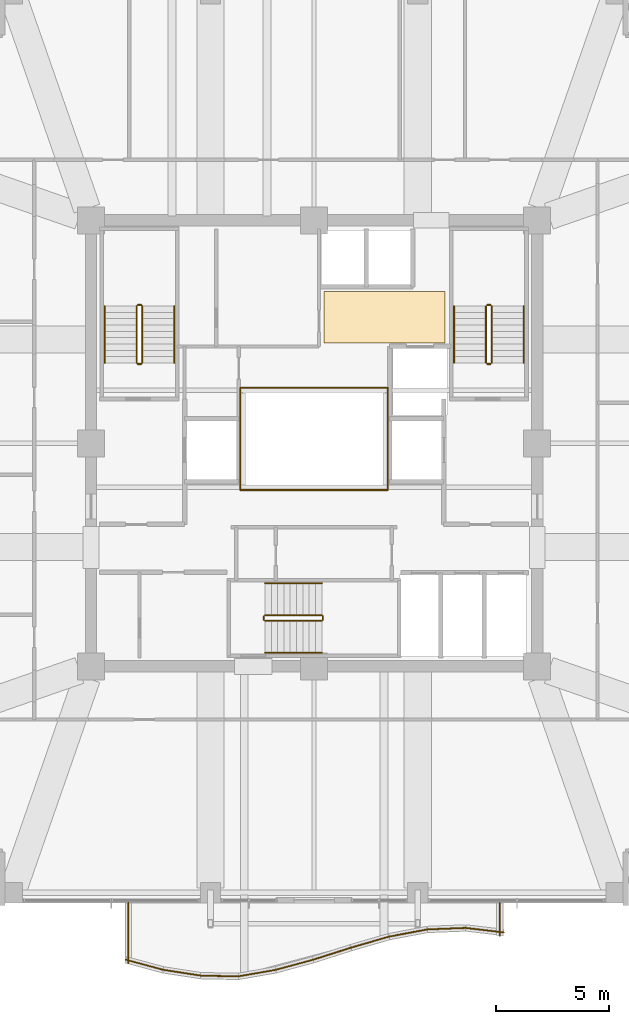
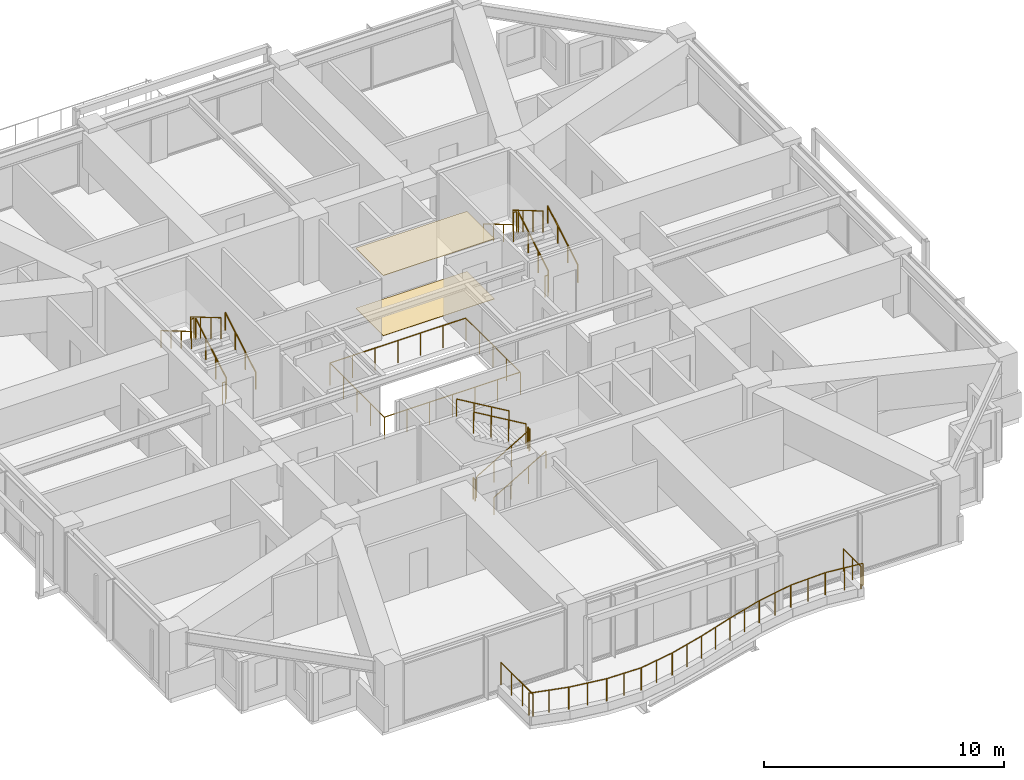
# One storey, part 36 of 37: 34 railings, 2 coverings.
"""IFC4 building model written with IfcOpenShell, lengths in metres."""

from ifc_helpers import new_model, si_unit, direction, frame, origin, origin_2d, place, context, subcontext, project, spatial, polyline, circle, outline, extrude, material, layer, layer_set, type_object, element, save


model = new_model("IFC4")

# Units and contexts
model_context = context("Model", 3, precision=1e-05, world=origin(), true_north=direction((0.0, 1.0)))
body_context = subcontext(model_context, "Body", "Model", "MODEL_VIEW")
ifc_project = project(units=[si_unit("LENGTHUNIT", "METRE"), si_unit("AREAUNIT", "SQUARE_METRE"), si_unit("VOLUMEUNIT", "CUBIC_METRE"), si_unit("PLANEANGLEUNIT", "RADIAN"), si_unit("MASSUNIT", "GRAM", prefix="KILO")], contexts=[model_context])

# Site, building, storey
site_placement = place(None, origin())
site = spatial("IfcSite", under=ifc_project, at=site_placement, CompositionType="ELEMENT")
building_placement = place(site_placement, origin())
building = spatial("IfcBuilding", under=site, at=building_placement, Name="Kolvaren Belvedere", CompositionType="ELEMENT")
storey_placement = place(building_placement, frame((0.0, 0.0, 186.60009765625)))
storey = spatial("IfcBuildingStorey", under=building, at=storey_placement, Name="L54", CompositionType="ELEMENT", Elevation=186.60009765625)

# Coverings
ifc_material_1 = material(Name="Acoustic perforated gypsum board", Category="gypsum")
ifc_layer_1 = layer(ifc_material_1, 0.02490234375)
ifc_layer_set_1 = layer_set([ifc_layer_1], Name="Acoustic perforated gypsum board")
covering_type_1 = type_object("IfcCoveringType", Name="COV-CEIL-GYP", PredefinedType="CEILING", material=ifc_layer_set_1)
covering_1_placement = place(storey_placement, frame((0.0, 0.0, 3.054931640625)))
element("IfcCovering", 1, at=covering_1_placement, inside=storey, type_object=covering_type_1, Name="L54 Lift Lobby Acoustic Baffle Ceiling", PredefinedType="CEILING", context=body_context, shape_type="SweptSolid", body=[
    extrude(outline(polyline([(0.449951171875, 4.449951171875), (5.800048828125, 4.449951171875), (5.800048828125, 6.75), (0.449951171875, 6.75), (0.449951171875, 4.449951171875)])), origin(), (0.0, 0.0, 1.0), 0.02490234375),
])
ifc_material_2 = material(Name="Engineered Pacific white oak", Category="timber")
ifc_layer_2 = layer(ifc_material_2, 0.02001953125)
ifc_layer_set_2 = layer_set([ifc_layer_2], Name="Engineered Pacific white oak")
covering_type_2 = type_object("IfcCoveringType", Name="COV-FLR-OAK", PredefinedType="FLOORING", material=ifc_layer_set_2)
covering_2_placement = place(storey_placement, origin())
element("IfcCovering", 2, at=covering_2_placement, inside=storey, type_object=covering_type_2, Name="L54 Lift Lobby Finish Flooring", PredefinedType="FLOORING", context=body_context, shape_type="SweptSolid", body=[
    extrude(outline(polyline([(0.449951171875, 4.449951171875), (5.800048828125, 4.449951171875), (5.800048828125, 6.75), (0.449951171875, 6.75), (0.449951171875, 4.449951171875)])), origin(), (0.0, 0.0, 1.0), 0.02001953125),
])

# Railings
ifc_material_3 = material(Name="Laminated glass & stainless-steel cap rail", Category="steel")
railing_type_1 = type_object("IfcRailingType", Name="RL-ATR-1150", PredefinedType="BALUSTRADE", material=ifc_material_3)
for number, where, name in (
    (3, (-3.27001953125, 2.469970703125, 0.0), "L54 Atrium North Glass Balustrade"),
    (4, (-3.27001953125, -2.070068359375, 0.0), "L54 Atrium South Glass Balustrade"),
):
    element("IfcRailing", number, at=place(storey_placement, frame(where)), inside=storey, type_object=railing_type_1, Name=name, PredefinedType="BALUSTRADE", context=body_context, shape_type="SweptSolid", body=[
        extrude(circle(Radius=0.02392578125, at=origin_2d()), frame((0.0, 0.0, 1.1259765625), z_axis=(1.0, 0.0, 0.0), x_axis=(0.0, 1.0, 0.0)), (0.0, 0.0, 1.0), 6.5400390625),
        extrude(circle(Radius=0.02099609375, at=origin_2d()), origin(), (0.0, 0.0, 1.0), 1.101806640625),
        extrude(circle(Radius=0.02099609375, at=origin_2d()), frame((1.090087890625, 0.0, 0.0)), (0.0, 0.0, 1.0), 1.101806640625),
        extrude(circle(Radius=0.02099609375, at=origin_2d()), frame((2.179931640625, 0.0, 0.0)), (0.0, 0.0, 1.0), 1.101806640625),
        extrude(circle(Radius=0.02099609375, at=origin_2d()), frame((3.27001953125, 0.0, 0.0)), (0.0, 0.0, 1.0), 1.101806640625),
        extrude(circle(Radius=0.02099609375, at=origin_2d()), frame((4.360107421875, 0.0, 0.0)), (0.0, 0.0, 1.0), 1.101806640625),
        extrude(circle(Radius=0.02099609375, at=origin_2d()), frame((5.449951171875, 0.0, 0.0)), (0.0, 0.0, 1.0), 1.101806640625),
        extrude(circle(Radius=0.02099609375, at=origin_2d()), frame((6.5400390625, 0.0, 0.0)), (0.0, 0.0, 1.0), 1.101806640625),
    ])
for number, where, name in (
    (5, (-3.27001953125, -2.070068359375, 0.0), "L54 Atrium West Glass Balustrade"),
    (6, (3.27001953125, -2.070068359375, 0.0), "L54 Atrium East Glass Balustrade"),
):
    element("IfcRailing", number, at=place(storey_placement, frame(where)), inside=storey, type_object=railing_type_1, Name=name, PredefinedType="BALUSTRADE", context=body_context, shape_type="SweptSolid", body=[
        extrude(circle(Radius=0.02392578125, at=origin_2d()), frame((0.0, 0.0, 1.1259765625), z_axis=(0.0, 1.0, 0.0), x_axis=(-1.0, 0.0, 0.0)), (0.0, 0.0, 1.0), 4.5400390625),
        extrude(circle(Radius=0.02099609375, at=origin_2d()), origin(), (0.0, 0.0, 1.0), 1.101806640625),
        extrude(circle(Radius=0.02099609375, at=origin_2d()), frame((0.0, 1.135009765625, 0.0)), (0.0, 0.0, 1.0), 1.101806640625),
        extrude(circle(Radius=0.02099609375, at=origin_2d()), frame((0.0, 2.27001953125, 0.0)), (0.0, 0.0, 1.0), 1.101806640625),
        extrude(circle(Radius=0.02099609375, at=origin_2d()), frame((0.0, 3.405029296875, 0.0)), (0.0, 0.0, 1.0), 1.101806640625),
        extrude(circle(Radius=0.02099609375, at=origin_2d()), frame((0.0, 4.5400390625, 0.0)), (0.0, 0.0, 1.0), 1.101806640625),
    ])
ifc_material_4 = material(Name="Anodised pale-metal aluminium & laminated glass guard", Category="aluminium")
railing_type_2 = type_object("IfcRailingType", Name="RL-GUARD-1150", PredefinedType="GUARDRAIL", material=ifc_material_4)
railing_1_placement = place(storey_placement, frame((-8.3583984375, -22.919189453125, 0.3798828125)))
element("IfcRailing", 7, at=railing_1_placement, inside=storey, type_object=railing_type_2, Name="L54 Exterior Deck Safety Guard BAL-S-1", PredefinedType="GUARDRAIL", context=body_context, shape_type="SweptSolid", body=[
    extrude(circle(Radius=0.02392578125, at=origin_2d()), frame((0.0, 0.0, 1.1259765625), z_axis=(0.965434024814, -0.260647546949, 0.0), x_axis=(0.260647546949, 0.965434024814, 0.0)), (0.0, 0.0, 1.0), 1.740234375),
    extrude(circle(Radius=0.02099609375, at=origin_2d()), origin(), (0.0, 0.0, 1.0), 1.101806640625),
    extrude(circle(Radius=0.02099609375, at=origin_2d()), frame((0.840087890625, -0.226806640625, 0.0)), (0.0, 0.0, 1.0), 1.101806640625),
    extrude(circle(Radius=0.02099609375, at=origin_2d()), frame((1.68017578125, -0.45361328125, 0.0)), (0.0, 0.0, 1.0), 1.101806640625),
])
railing_2_placement = place(storey_placement, frame((-6.695556640625, -23.369140625, 0.3798828125)))
element("IfcRailing", 8, at=railing_2_placement, inside=storey, type_object=railing_type_2, Name="L54 Exterior Deck Safety Guard BAL-S-2", PredefinedType="GUARDRAIL", context=body_context, shape_type="SweptSolid", body=[
    extrude(circle(Radius=0.02392578125, at=origin_2d()), frame((0.0, 0.0, 1.1259765625), z_axis=(0.988341789514, -0.152251460091, 0.0), x_axis=(0.152251460091, 0.988341789514, 0.0)), (0.0, 0.0, 1.0), 1.69970703125),
    extrude(circle(Radius=0.02099609375, at=origin_2d()), origin(), (0.0, 0.0, 1.0), 1.101806640625),
    extrude(circle(Radius=0.02099609375, at=origin_2d()), frame((0.83984375, -0.12939453125, 0.0)), (0.0, 0.0, 1.0), 1.101806640625),
    extrude(circle(Radius=0.02099609375, at=origin_2d()), frame((1.679931640625, -0.2587890625, 0.0)), (0.0, 0.0, 1.0), 1.101806640625),
])
railing_3_placement = place(storey_placement, frame((-5.036865234375, -23.626220703125, 0.3798828125)))
element("IfcRailing", 9, at=railing_3_placement, inside=storey, type_object=railing_type_2, Name="L54 Exterior Deck Safety Guard BAL-S-3", PredefinedType="GUARDRAIL", context=body_context, shape_type="SweptSolid", body=[
    extrude(circle(Radius=0.02392578125, at=origin_2d()), frame((0.0, 0.0, 1.1259765625), z_axis=(0.999799013034, -0.020048280122, 0.0), x_axis=(0.020048280122, 0.999799013034, 0.0)), (0.0, 0.0, 1.0), 1.680419921875),
    extrude(circle(Radius=0.02099609375, at=origin_2d()), origin(), (0.0, 0.0, 1.0), 1.101806640625),
    extrude(circle(Radius=0.02099609375, at=origin_2d()), frame((0.840087890625, -0.016845703125, 0.0)), (0.0, 0.0, 1.0), 1.101806640625),
    extrude(circle(Radius=0.02099609375, at=origin_2d()), frame((1.68017578125, -0.03369140625, 0.0)), (0.0, 0.0, 1.0), 1.101806640625),
])
railing_4_placement = place(storey_placement, frame((-3.387451171875, -23.662353515625, 0.3798828125)))
element("IfcRailing", 10, at=railing_4_placement, inside=storey, type_object=railing_type_2, Name="L54 Exterior Deck Safety Guard BAL-S-4", PredefinedType="GUARDRAIL", context=body_context, shape_type="SweptSolid", body=[
    extrude(circle(Radius=0.02392578125, at=origin_2d()), frame((0.0, 0.0, 1.1259765625), z_axis=(0.985156010777, 0.171661394699, 0.0), x_axis=(-0.171661394699, 0.985156010777, 0.0)), (0.0, 0.0, 1.0), 1.705322265625),
    extrude(circle(Radius=0.02099609375, at=origin_2d()), origin(), (0.0, 0.0, 1.0), 1.101806640625),
    extrude(circle(Radius=0.02099609375, at=origin_2d()), frame((0.83984375, 0.146484375, 0.0)), (0.0, 0.0, 1.0), 1.101806640625),
    extrude(circle(Radius=0.02099609375, at=origin_2d()), frame((1.679931640625, 0.292724609375, 0.0)), (0.0, 0.0, 1.0), 1.101806640625),
])
railing_5_placement = place(storey_placement, frame((-1.7216796875, -23.372802734375, 0.3798828125)))
element("IfcRailing", 11, at=railing_5_placement, inside=storey, type_object=railing_type_2, Name="L54 Exterior Deck Safety Guard BAL-S-5", PredefinedType="GUARDRAIL", context=body_context, shape_type="SweptSolid", body=[
    extrude(circle(Radius=0.02392578125, at=origin_2d()), frame((0.0, 0.0, 1.1259765625), z_axis=(0.965424492388, 0.260682852326, 0.0), x_axis=(-0.260682852326, 0.965424492388, 0.0)), (0.0, 0.0, 1.0), 1.739990234375),
    extrude(circle(Radius=0.02099609375, at=origin_2d()), origin(), (0.0, 0.0, 1.0), 1.101806640625),
    extrude(circle(Radius=0.02099609375, at=origin_2d()), frame((0.83984375, 0.226806640625, 0.0)), (0.0, 0.0, 1.0), 1.101806640625),
    extrude(circle(Radius=0.02099609375, at=origin_2d()), frame((1.679931640625, 0.45361328125, 0.0)), (0.0, 0.0, 1.0), 1.101806640625),
])
railing_6_placement = place(storey_placement, frame((-0.048583984375, -22.92138671875, 0.3798828125)))
element("IfcRailing", 12, at=railing_6_placement, inside=storey, type_object=railing_type_2, Name="L54 Exterior Deck Safety Guard BAL-S-6", PredefinedType="GUARDRAIL", context=body_context, shape_type="SweptSolid", body=[
    extrude(circle(Radius=0.02392578125, at=origin_2d()), frame((0.0, 0.0, 1.1259765625), z_axis=(0.952661770826, 0.304032153573, 0.0), x_axis=(-0.304032153573, 0.952661770826, 0.0)), (0.0, 0.0, 1.0), 1.763427734375),
    extrude(circle(Radius=0.02099609375, at=origin_2d()), origin(), (0.0, 0.0, 1.0), 1.101806640625),
    extrude(circle(Radius=0.02099609375, at=origin_2d()), frame((0.83984375, 0.26806640625, 0.0)), (0.0, 0.0, 1.0), 1.101806640625),
    extrude(circle(Radius=0.02099609375, at=origin_2d()), frame((1.679931640625, 0.5361328125, 0.0)), (0.0, 0.0, 1.0), 1.101806640625),
])
railing_7_placement = place(storey_placement, frame((1.635498046875, -22.3837890625, 0.3798828125)))
element("IfcRailing", 13, at=railing_7_placement, inside=storey, type_object=railing_type_2, Name="L54 Exterior Deck Safety Guard BAL-S-7", PredefinedType="GUARDRAIL", context=body_context, shape_type="SweptSolid", body=[
    extrude(circle(Radius=0.02392578125, at=origin_2d()), frame((0.0, 0.0, 1.1259765625), z_axis=(0.960633903819, 0.277817391164, 0.0), x_axis=(-0.277817391164, 0.960633903819, 0.0)), (0.0, 0.0, 1.0), 1.748779296875),
    extrude(circle(Radius=0.02099609375, at=origin_2d()), origin(), (0.0, 0.0, 1.0), 1.101806640625),
    extrude(circle(Radius=0.02099609375, at=origin_2d()), frame((0.83984375, 0.242919921875, 0.0)), (0.0, 0.0, 1.0), 1.101806640625),
    extrude(circle(Radius=0.02099609375, at=origin_2d()), frame((1.679931640625, 0.48583984375, 0.0)), (0.0, 0.0, 1.0), 1.101806640625),
])
railing_8_placement = place(storey_placement, frame((3.330322265625, -21.894287109375, 0.3798828125)))
element("IfcRailing", 14, at=railing_8_placement, inside=storey, type_object=railing_type_2, Name="L54 Exterior Deck Safety Guard BAL-S-8", PredefinedType="GUARDRAIL", context=body_context, shape_type="SweptSolid", body=[
    extrude(circle(Radius=0.02392578125, at=origin_2d()), frame((0.0, 0.0, 1.1259765625), z_axis=(0.982804219087, 0.184650661912, 0.0), x_axis=(-0.184650661912, 0.982804219087, 0.0)), (0.0, 0.0, 1.0), 1.70947265625),
    extrude(circle(Radius=0.02099609375, at=origin_2d()), origin(), (0.0, 0.0, 1.0), 1.101806640625),
    extrude(circle(Radius=0.02099609375, at=origin_2d()), frame((0.840087890625, 0.15771484375, 0.0)), (0.0, 0.0, 1.0), 1.101806640625),
    extrude(circle(Radius=0.02099609375, at=origin_2d()), frame((1.68017578125, 0.315673828125, 0.0)), (0.0, 0.0, 1.0), 1.101806640625),
])
railing_9_placement = place(storey_placement, frame((5.03369140625, -21.575927734375, 0.3798828125)))
element("IfcRailing", 15, at=railing_9_placement, inside=storey, type_object=railing_type_2, Name="L54 Exterior Deck Safety Guard BAL-S-9", PredefinedType="GUARDRAIL", context=body_context, shape_type="SweptSolid", body=[
    extrude(circle(Radius=0.02392578125, at=origin_2d()), frame((0.0, 0.0, 1.1259765625), z_axis=(0.999196545286, 0.040078222133, 0.0), x_axis=(-0.040078222133, 0.999196545286, 0.0)), (0.0, 0.0, 1.0), 1.681396484375),
    extrude(circle(Radius=0.02099609375, at=origin_2d()), origin(), (0.0, 0.0, 1.0), 1.101806640625),
    extrude(circle(Radius=0.02099609375, at=origin_2d()), frame((0.83984375, 0.03369140625, 0.0)), (0.0, 0.0, 1.0), 1.101806640625),
    extrude(circle(Radius=0.02099609375, at=origin_2d()), frame((1.679931640625, 0.0673828125, 0.0)), (0.0, 0.0, 1.0), 1.101806640625),
])
railing_10_placement = place(storey_placement, frame((6.73876953125, -21.509521484375, 0.3798828125)))
element("IfcRailing", 16, at=railing_10_placement, inside=storey, type_object=railing_type_2, Name="L54 Exterior Deck Safety Guard BAL-S-10", PredefinedType="GUARDRAIL", context=body_context, shape_type="SweptSolid", body=[
    extrude(circle(Radius=0.02392578125, at=origin_2d()), frame((0.0, 0.0, 1.1259765625), z_axis=(0.993125952783, -0.11705059551, 0.0), x_axis=(0.11705059551, 0.993125952783, 0.0)), (0.0, 0.0, 1.0), 1.691650390625),
    extrude(circle(Radius=0.02099609375, at=origin_2d()), origin(), (0.0, 0.0, 1.0), 1.101806640625),
    extrude(circle(Radius=0.02099609375, at=origin_2d()), frame((0.83984375, -0.09912109375, 0.0)), (0.0, 0.0, 1.0), 1.101806640625),
    extrude(circle(Radius=0.02099609375, at=origin_2d()), frame((1.679931640625, -0.197998046875, 0.0)), (0.0, 0.0, 1.0), 1.101806640625),
])
railing_11_placement = place(storey_placement, frame((8.239990234375, -21.8662109375, 0.3798828125)))
element("IfcRailing", 17, at=railing_11_placement, inside=storey, type_object=railing_type_2, Name="L54 Exterior Deck Safety Guard BAL-S-11", PredefinedType="GUARDRAIL", context=body_context, shape_type="SweptSolid", body=[
    extrude(circle(Radius=0.02392578125, at=origin_2d()), frame((0.0, 0.0, 1.1259765625), z_axis=(0.0, 1.0, 0.0), x_axis=(-1.0, 0.0, 0.0)), (0.0, 0.0, 1.0), 1.46630859375),
    extrude(circle(Radius=0.02099609375, at=origin_2d()), origin(), (0.0, 0.0, 1.0), 1.101806640625),
    extrude(circle(Radius=0.02099609375, at=origin_2d()), frame((0.0, 0.733154296875, 0.0)), (0.0, 0.0, 1.0), 1.101806640625),
    extrude(circle(Radius=0.02099609375, at=origin_2d()), frame((0.0, 1.46630859375, 0.0)), (0.0, 0.0, 1.0), 1.101806640625),
])
railing_12_placement = place(storey_placement, frame((-8.239990234375, -20.39990234375, 0.3798828125)))
element("IfcRailing", 18, at=railing_12_placement, inside=storey, type_object=railing_type_2, Name="L54 Exterior Deck Safety Guard BAL-S-22", PredefinedType="GUARDRAIL", context=body_context, shape_type="SweptSolid", body=[
    extrude(circle(Radius=0.02392578125, at=origin_2d()), frame((0.0, 0.0, 1.1259765625), z_axis=(0.0, -1.0, 0.0), x_axis=(1.0, 0.0, 0.0)), (0.0, 0.0, 1.0), 2.673828125),
    extrude(circle(Radius=0.02099609375, at=origin_2d()), origin(), (0.0, 0.0, 1.0), 1.101806640625),
    extrude(circle(Radius=0.02099609375, at=origin_2d()), frame((0.0, -0.891357421875, 0.0)), (0.0, 0.0, 1.0), 1.101806640625),
    extrude(circle(Radius=0.02099609375, at=origin_2d()), frame((0.0, -1.782470703125, 0.0)), (0.0, 0.0, 1.0), 1.101806640625),
    extrude(circle(Radius=0.02099609375, at=origin_2d()), frame((0.0, -2.673828125, 0.0)), (0.0, 0.0, 1.0), 1.101806640625),
])
ifc_material_5 = material(Name="Brushed stainless-steel handrail", Category="steel")
railing_type_3 = type_object("IfcRailingType", Name="RL-HANDRAIL-920", PredefinedType="HANDRAIL", material=ifc_material_5)
railing_13_placement = place(storey_placement, frame((-6.2099609375, 3.570068359375, 0.164794921875)))
element("IfcRailing", 19, at=railing_13_placement, inside=storey, type_object=railing_type_3, Name="L54 ST-1 stair handrail 1", PredefinedType="HANDRAIL", context=body_context, shape_type="SweptSolid", body=[
    extrude(circle(Radius=0.02392578125, at=origin_2d()), frame((0.0, 0.0, 0.8759765625), z_axis=(0.0, 0.86152411907, 0.507716645641), x_axis=(-1.0, 0.0, 0.0)), (0.0, 0.0, 1.0), 2.925048828125),
    extrude(circle(Radius=0.02099609375, at=origin_2d()), origin(), (0.0, 0.0, 1.0), 0.851806640625),
    extrude(circle(Radius=0.02099609375, at=origin_2d()), frame((0.0, 0.840087890625, 0.4951171875)), (0.0, 0.0, 1.0), 0.851806640625),
    extrude(circle(Radius=0.02099609375, at=origin_2d()), frame((0.0, 1.679931640625, 0.989990234375)), (0.0, 0.0, 1.0), 0.851806640625),
    extrude(circle(Radius=0.02099609375, at=origin_2d()), frame((0.0, 2.52001953125, 1.485107421875)), (0.0, 0.0, 1.0), 0.851806640625),
])
railing_14_placement = place(storey_placement, frame((-9.300048828125, 6.090087890625, 1.81494140625)))
element("IfcRailing", 20, at=railing_14_placement, inside=storey, type_object=railing_type_3, Name="L54 ST-1 stair handrail 2", PredefinedType="HANDRAIL", context=body_context, shape_type="SweptSolid", body=[
    extrude(circle(Radius=0.02392578125, at=origin_2d()), frame((0.0, 0.0, 0.8759765625), z_axis=(0.0, -0.861560626758, 0.507654692109), x_axis=(1.0, 0.0, 0.0)), (0.0, 0.0, 1.0), 2.925048828125),
    extrude(circle(Radius=0.02099609375, at=origin_2d()), origin(), (0.0, 0.0, 1.0), 0.851806640625),
    extrude(circle(Radius=0.02099609375, at=origin_2d()), frame((0.0, -0.840087890625, 0.494873046875)), (0.0, 0.0, 1.0), 0.851806640625),
    extrude(circle(Radius=0.02099609375, at=origin_2d()), frame((0.0, -1.679931640625, 0.989990234375)), (0.0, 0.0, 1.0), 0.851806640625),
    extrude(circle(Radius=0.02099609375, at=origin_2d()), frame((0.0, -2.52001953125, 1.48486328125)), (0.0, 0.0, 1.0), 0.851806640625),
])
railing_15_placement = place(storey_placement, frame((9.300048828125, 3.570068359375, 0.164794921875)))
element("IfcRailing", 21, at=railing_15_placement, inside=storey, type_object=railing_type_3, Name="L54 ST-2 stair handrail 1", PredefinedType="HANDRAIL", context=body_context, shape_type="SweptSolid", body=[
    extrude(circle(Radius=0.02392578125, at=origin_2d()), frame((0.0, 0.0, 0.8759765625), z_axis=(0.0, 0.86152411907, 0.507716645641), x_axis=(-1.0, 0.0, 0.0)), (0.0, 0.0, 1.0), 2.925048828125),
    extrude(circle(Radius=0.02099609375, at=origin_2d()), origin(), (0.0, 0.0, 1.0), 0.851806640625),
    extrude(circle(Radius=0.02099609375, at=origin_2d()), frame((0.0, 0.840087890625, 0.4951171875)), (0.0, 0.0, 1.0), 0.851806640625),
    extrude(circle(Radius=0.02099609375, at=origin_2d()), frame((0.0, 1.679931640625, 0.989990234375)), (0.0, 0.0, 1.0), 0.851806640625),
    extrude(circle(Radius=0.02099609375, at=origin_2d()), frame((0.0, 2.52001953125, 1.485107421875)), (0.0, 0.0, 1.0), 0.851806640625),
])
railing_16_placement = place(storey_placement, frame((6.2099609375, 6.090087890625, 1.81494140625)))
element("IfcRailing", 22, at=railing_16_placement, inside=storey, type_object=railing_type_3, Name="L54 ST-2 stair handrail 2", PredefinedType="HANDRAIL", context=body_context, shape_type="SweptSolid", body=[
    extrude(circle(Radius=0.02392578125, at=origin_2d()), frame((0.0, 0.0, 0.8759765625), z_axis=(0.0, -0.861560626758, 0.507654692109), x_axis=(1.0, 0.0, 0.0)), (0.0, 0.0, 1.0), 2.925048828125),
    extrude(circle(Radius=0.02099609375, at=origin_2d()), origin(), (0.0, 0.0, 1.0), 0.851806640625),
    extrude(circle(Radius=0.02099609375, at=origin_2d()), frame((0.0, -0.840087890625, 0.494873046875)), (0.0, 0.0, 1.0), 0.851806640625),
    extrude(circle(Radius=0.02099609375, at=origin_2d()), frame((0.0, -1.679931640625, 0.989990234375)), (0.0, 0.0, 1.0), 0.851806640625),
    extrude(circle(Radius=0.02099609375, at=origin_2d()), frame((0.0, -2.52001953125, 1.48486328125)), (0.0, 0.0, 1.0), 0.851806640625),
])
railing_17_placement = place(storey_placement, frame((-2.179931640625, -9.300048828125, 0.164794921875)))
element("IfcRailing", 23, at=railing_17_placement, inside=storey, type_object=railing_type_3, Name="L54 ST-3 stair handrail 1", PredefinedType="HANDRAIL", context=body_context, shape_type="SweptSolid", body=[
    extrude(circle(Radius=0.02392578125, at=origin_2d()), frame((0.0, 0.0, 0.8759765625), z_axis=(0.86152411907, 0.0, 0.507716645641), x_axis=(0.0, 1.0, 0.0)), (0.0, 0.0, 1.0), 2.925048828125),
    extrude(circle(Radius=0.02099609375, at=origin_2d()), origin(), (0.0, 0.0, 1.0), 0.851806640625),
    extrude(circle(Radius=0.02099609375, at=origin_2d()), frame((0.840087890625, 0.0, 0.4951171875)), (0.0, 0.0, 1.0), 0.851806640625),
    extrude(circle(Radius=0.02099609375, at=origin_2d()), frame((1.679931640625, 0.0, 0.989990234375)), (0.0, 0.0, 1.0), 0.851806640625),
    extrude(circle(Radius=0.02099609375, at=origin_2d()), frame((2.52001953125, 0.0, 1.485107421875)), (0.0, 0.0, 1.0), 0.851806640625),
])
railing_18_placement = place(storey_placement, frame((0.340087890625, -6.2099609375, 1.81494140625)))
element("IfcRailing", 24, at=railing_18_placement, inside=storey, type_object=railing_type_3, Name="L54 ST-3 stair handrail 2", PredefinedType="HANDRAIL", context=body_context, shape_type="SweptSolid", body=[
    extrude(circle(Radius=0.02392578125, at=origin_2d()), frame((0.0, 0.0, 0.8759765625), z_axis=(-0.861560626758, 0.0, 0.507654692109), x_axis=(0.0, -1.0, 0.0)), (0.0, 0.0, 1.0), 2.925048828125),
    extrude(circle(Radius=0.02099609375, at=origin_2d()), origin(), (0.0, 0.0, 1.0), 0.851806640625),
    extrude(circle(Radius=0.02099609375, at=origin_2d()), frame((-0.840087890625, 0.0, 0.494873046875)), (0.0, 0.0, 1.0), 0.851806640625),
    extrude(circle(Radius=0.02099609375, at=origin_2d()), frame((-1.679931640625, 0.0, 0.989990234375)), (0.0, 0.0, 1.0), 0.851806640625),
    extrude(circle(Radius=0.02099609375, at=origin_2d()), frame((-2.52001953125, 0.0, 1.48486328125)), (0.0, 0.0, 1.0), 0.851806640625),
])
ifc_material_6 = material(Name="Painted tubular steel stair guard", Category="steel")
railing_type_4 = type_object("IfcRailingType", Name="RL-STGUARD-1100", PredefinedType="GUARDRAIL", material=ifc_material_6)
railing_19_placement = place(storey_placement, frame((-7.6298828125, 3.570068359375, 0.164794921875)))
element("IfcRailing", 25, at=railing_19_placement, inside=storey, type_object=railing_type_4, Name="L54 ST-1 stair guard 1", PredefinedType="GUARDRAIL", context=body_context, shape_type="SweptSolid", body=[
    extrude(circle(Radius=0.02392578125, at=origin_2d()), frame((0.0, 0.0, 1.076171875), z_axis=(0.0, 0.86152411907, 0.507716645641), x_axis=(-1.0, 0.0, 0.0)), (0.0, 0.0, 1.0), 2.925048828125),
    extrude(circle(Radius=0.02099609375, at=origin_2d()), origin(), (0.0, 0.0, 1.0), 1.052001953125),
    extrude(circle(Radius=0.02099609375, at=origin_2d()), frame((0.0, 0.840087890625, 0.4951171875)), (0.0, 0.0, 1.0), 1.052001953125),
    extrude(circle(Radius=0.02099609375, at=origin_2d()), frame((0.0, 1.679931640625, 0.989990234375)), (0.0, 0.0, 1.0), 1.052001953125),
    extrude(circle(Radius=0.02099609375, at=origin_2d()), frame((0.0, 2.52001953125, 1.485107421875)), (0.0, 0.0, 1.0), 1.052001953125),
])
railing_20_placement = place(storey_placement, frame((-7.679931640625, 6.139892578125, 1.64990234375)))
element("IfcRailing", 26, at=railing_20_placement, inside=storey, type_object=railing_type_4, Name="L54 ST-1 stair guard 2", PredefinedType="GUARDRAIL", context=body_context, shape_type="SweptSolid", body=[
    extrude(circle(Radius=0.02392578125, at=origin_2d()), frame((0.0, 0.0, 1.076171875), z_axis=(-1.0, 0.0, 0.0), x_axis=(0.0, -1.0, 0.0)), (0.0, 0.0, 1.0), 0.150146484375),
    extrude(circle(Radius=0.02099609375, at=origin_2d()), origin(), (0.0, 0.0, 1.0), 1.052001953125),
    extrude(circle(Radius=0.02099609375, at=origin_2d()), frame((-0.150146484375, 0.0, 0.0)), (0.0, 0.0, 1.0), 1.052001953125),
])
railing_21_placement = place(storey_placement, frame((-7.8798828125, 6.090087890625, 1.81494140625)))
element("IfcRailing", 27, at=railing_21_placement, inside=storey, type_object=railing_type_4, Name="L54 ST-1 stair guard 3", PredefinedType="GUARDRAIL", context=body_context, shape_type="SweptSolid", body=[
    extrude(circle(Radius=0.02392578125, at=origin_2d()), frame((0.0, 0.0, 1.076171875), z_axis=(0.0, -0.861560626758, 0.507654692109), x_axis=(1.0, 0.0, 0.0)), (0.0, 0.0, 1.0), 2.925048828125),
    extrude(circle(Radius=0.02099609375, at=origin_2d()), origin(), (0.0, 0.0, 1.0), 1.052001953125),
    extrude(circle(Radius=0.02099609375, at=origin_2d()), frame((0.0, -0.840087890625, 0.494873046875)), (0.0, 0.0, 1.0), 1.052001953125),
    extrude(circle(Radius=0.02099609375, at=origin_2d()), frame((0.0, -1.679931640625, 0.989990234375)), (0.0, 0.0, 1.0), 1.052001953125),
    extrude(circle(Radius=0.02099609375, at=origin_2d()), frame((0.0, -2.52001953125, 1.48486328125)), (0.0, 0.0, 1.0), 1.052001953125),
])
railing_22_placement = place(storey_placement, frame((-7.679931640625, 3.52001953125, 0.0)))
element("IfcRailing", 28, at=railing_22_placement, inside=storey, type_object=railing_type_4, Name="L54 ST-1 stair guard 4", PredefinedType="GUARDRAIL", context=body_context, shape_type="SweptSolid", body=[
    extrude(circle(Radius=0.02392578125, at=origin_2d()), frame((0.0, 0.0, 1.076171875), z_axis=(-1.0, 0.0, 0.0), x_axis=(0.0, -1.0, 0.0)), (0.0, 0.0, 1.0), 0.150146484375),
    extrude(circle(Radius=0.02099609375, at=origin_2d()), origin(), (0.0, 0.0, 1.0), 1.052001953125),
    extrude(circle(Radius=0.02099609375, at=origin_2d()), frame((-0.150146484375, 0.0, 0.0)), (0.0, 0.0, 1.0), 1.052001953125),
])
railing_23_placement = place(storey_placement, frame((7.8798828125, 3.570068359375, 0.164794921875)))
element("IfcRailing", 29, at=railing_23_placement, inside=storey, type_object=railing_type_4, Name="L54 ST-2 stair guard 1", PredefinedType="GUARDRAIL", context=body_context, shape_type="SweptSolid", body=[
    extrude(circle(Radius=0.02392578125, at=origin_2d()), frame((0.0, 0.0, 1.076171875), z_axis=(0.0, 0.86152411907, 0.507716645641), x_axis=(-1.0, 0.0, 0.0)), (0.0, 0.0, 1.0), 2.925048828125),
    extrude(circle(Radius=0.02099609375, at=origin_2d()), origin(), (0.0, 0.0, 1.0), 1.052001953125),
    extrude(circle(Radius=0.02099609375, at=origin_2d()), frame((0.0, 0.840087890625, 0.4951171875)), (0.0, 0.0, 1.0), 1.052001953125),
    extrude(circle(Radius=0.02099609375, at=origin_2d()), frame((0.0, 1.679931640625, 0.989990234375)), (0.0, 0.0, 1.0), 1.052001953125),
    extrude(circle(Radius=0.02099609375, at=origin_2d()), frame((0.0, 2.52001953125, 1.485107421875)), (0.0, 0.0, 1.0), 1.052001953125),
])
railing_24_placement = place(storey_placement, frame((7.830078125, 6.139892578125, 1.64990234375)))
element("IfcRailing", 30, at=railing_24_placement, inside=storey, type_object=railing_type_4, Name="L54 ST-2 stair guard 2", PredefinedType="GUARDRAIL", context=body_context, shape_type="SweptSolid", body=[
    extrude(circle(Radius=0.02392578125, at=origin_2d()), frame((0.0, 0.0, 1.076171875), z_axis=(-1.0, 0.0, 0.0), x_axis=(0.0, -1.0, 0.0)), (0.0, 0.0, 1.0), 0.150146484375),
    extrude(circle(Radius=0.02099609375, at=origin_2d()), origin(), (0.0, 0.0, 1.0), 1.052001953125),
    extrude(circle(Radius=0.02099609375, at=origin_2d()), frame((-0.150146484375, 0.0, 0.0)), (0.0, 0.0, 1.0), 1.052001953125),
])
railing_25_placement = place(storey_placement, frame((7.6298828125, 6.090087890625, 1.81494140625)))
element("IfcRailing", 31, at=railing_25_placement, inside=storey, type_object=railing_type_4, Name="L54 ST-2 stair guard 3", PredefinedType="GUARDRAIL", context=body_context, shape_type="SweptSolid", body=[
    extrude(circle(Radius=0.02392578125, at=origin_2d()), frame((0.0, 0.0, 1.076171875), z_axis=(0.0, -0.861560626758, 0.507654692109), x_axis=(1.0, 0.0, 0.0)), (0.0, 0.0, 1.0), 2.925048828125),
    extrude(circle(Radius=0.02099609375, at=origin_2d()), origin(), (0.0, 0.0, 1.0), 1.052001953125),
    extrude(circle(Radius=0.02099609375, at=origin_2d()), frame((0.0, -0.840087890625, 0.494873046875)), (0.0, 0.0, 1.0), 1.052001953125),
    extrude(circle(Radius=0.02099609375, at=origin_2d()), frame((0.0, -1.679931640625, 0.989990234375)), (0.0, 0.0, 1.0), 1.052001953125),
    extrude(circle(Radius=0.02099609375, at=origin_2d()), frame((0.0, -2.52001953125, 1.48486328125)), (0.0, 0.0, 1.0), 1.052001953125),
])
railing_26_placement = place(storey_placement, frame((7.830078125, 3.52001953125, 0.0)))
element("IfcRailing", 32, at=railing_26_placement, inside=storey, type_object=railing_type_4, Name="L54 ST-2 stair guard 4", PredefinedType="GUARDRAIL", context=body_context, shape_type="SweptSolid", body=[
    extrude(circle(Radius=0.02392578125, at=origin_2d()), frame((0.0, 0.0, 1.076171875), z_axis=(-1.0, 0.0, 0.0), x_axis=(0.0, -1.0, 0.0)), (0.0, 0.0, 1.0), 0.150146484375),
    extrude(circle(Radius=0.02099609375, at=origin_2d()), origin(), (0.0, 0.0, 1.0), 1.052001953125),
    extrude(circle(Radius=0.02099609375, at=origin_2d()), frame((-0.150146484375, 0.0, 0.0)), (0.0, 0.0, 1.0), 1.052001953125),
])
railing_27_placement = place(storey_placement, frame((-2.179931640625, -7.8798828125, 0.164794921875)))
element("IfcRailing", 33, at=railing_27_placement, inside=storey, type_object=railing_type_4, Name="L54 ST-3 stair guard 1", PredefinedType="GUARDRAIL", context=body_context, shape_type="SweptSolid", body=[
    extrude(circle(Radius=0.02392578125, at=origin_2d()), frame((0.0, 0.0, 1.076171875), z_axis=(0.86152411907, 0.0, 0.507716645641), x_axis=(0.0, 1.0, 0.0)), (0.0, 0.0, 1.0), 2.925048828125),
    extrude(circle(Radius=0.02099609375, at=origin_2d()), origin(), (0.0, 0.0, 1.0), 1.052001953125),
    extrude(circle(Radius=0.02099609375, at=origin_2d()), frame((0.840087890625, 0.0, 0.4951171875)), (0.0, 0.0, 1.0), 1.052001953125),
    extrude(circle(Radius=0.02099609375, at=origin_2d()), frame((1.679931640625, 0.0, 0.989990234375)), (0.0, 0.0, 1.0), 1.052001953125),
    extrude(circle(Radius=0.02099609375, at=origin_2d()), frame((2.52001953125, 0.0, 1.485107421875)), (0.0, 0.0, 1.0), 1.052001953125),
])
railing_28_placement = place(storey_placement, frame((0.389892578125, -7.830078125, 1.64990234375)))
element("IfcRailing", 34, at=railing_28_placement, inside=storey, type_object=railing_type_4, Name="L54 ST-3 stair guard 2", PredefinedType="GUARDRAIL", context=body_context, shape_type="SweptSolid", body=[
    extrude(circle(Radius=0.02392578125, at=origin_2d()), frame((0.0, 0.0, 1.076171875), z_axis=(0.0, 1.0, 0.0), x_axis=(-1.0, 0.0, 0.0)), (0.0, 0.0, 1.0), 0.150146484375),
    extrude(circle(Radius=0.02099609375, at=origin_2d()), origin(), (0.0, 0.0, 1.0), 1.052001953125),
    extrude(circle(Radius=0.02099609375, at=origin_2d()), frame((0.0, 0.150146484375, 0.0)), (0.0, 0.0, 1.0), 1.052001953125),
])
railing_29_placement = place(storey_placement, frame((0.340087890625, -7.6298828125, 1.81494140625)))
element("IfcRailing", 35, at=railing_29_placement, inside=storey, type_object=railing_type_4, Name="L54 ST-3 stair guard 3", PredefinedType="GUARDRAIL", context=body_context, shape_type="SweptSolid", body=[
    extrude(circle(Radius=0.02392578125, at=origin_2d()), frame((0.0, 0.0, 1.076171875), z_axis=(-0.861560626758, 0.0, 0.507654692109), x_axis=(0.0, -1.0, 0.0)), (0.0, 0.0, 1.0), 2.925048828125),
    extrude(circle(Radius=0.02099609375, at=origin_2d()), origin(), (0.0, 0.0, 1.0), 1.052001953125),
    extrude(circle(Radius=0.02099609375, at=origin_2d()), frame((-0.840087890625, 0.0, 0.494873046875)), (0.0, 0.0, 1.0), 1.052001953125),
    extrude(circle(Radius=0.02099609375, at=origin_2d()), frame((-1.679931640625, 0.0, 0.989990234375)), (0.0, 0.0, 1.0), 1.052001953125),
    extrude(circle(Radius=0.02099609375, at=origin_2d()), frame((-2.52001953125, 0.0, 1.48486328125)), (0.0, 0.0, 1.0), 1.052001953125),
])
railing_30_placement = place(storey_placement, frame((-2.22998046875, -7.830078125, 0.0)))
element("IfcRailing", 36, at=railing_30_placement, inside=storey, type_object=railing_type_4, Name="L54 ST-3 stair guard 4", PredefinedType="GUARDRAIL", context=body_context, shape_type="SweptSolid", body=[
    extrude(circle(Radius=0.02392578125, at=origin_2d()), frame((0.0, 0.0, 1.076171875), z_axis=(0.0, 1.0, 0.0), x_axis=(-1.0, 0.0, 0.0)), (0.0, 0.0, 1.0), 0.150146484375),
    extrude(circle(Radius=0.02099609375, at=origin_2d()), origin(), (0.0, 0.0, 1.0), 1.052001953125),
    extrude(circle(Radius=0.02099609375, at=origin_2d()), frame((0.0, 0.150146484375, 0.0)), (0.0, 0.0, 1.0), 1.052001953125),
])

save(model, "model.ifc")
